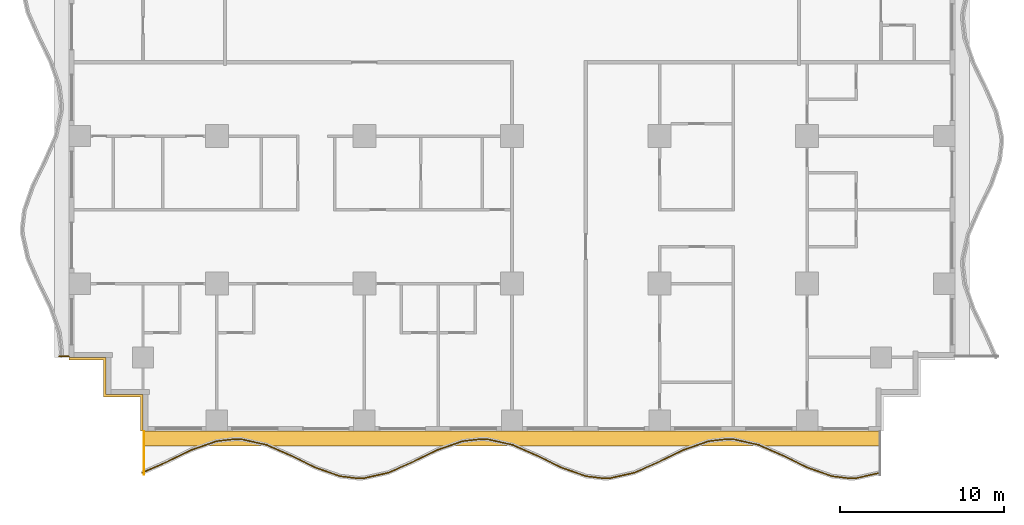
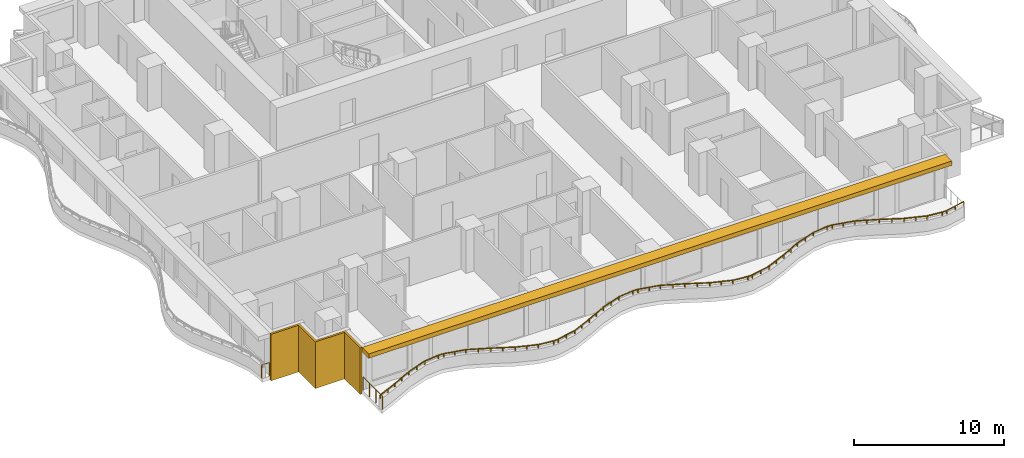
# One storey, part 8 of 14: 3 railings, 2 shading devices.
"""IFC4 building model written with IfcOpenShell, lengths in metres."""

from ifc_helpers import new_model, si_unit, direction, frame, origin, origin_2d, place, context, subcontext, project, spatial, polyline, rectangle, outline, extrude, material, layer, layer_set, type_object, element, save


model = new_model("IFC4")

# Units and contexts
model_context = context("Model", 3, precision=1e-05, world=origin(), true_north=direction((0.0, 1.0)))
body_context = subcontext(model_context, "Body", "Model", "MODEL_VIEW")
ifc_project = project(units=[si_unit("LENGTHUNIT", "METRE"), si_unit("AREAUNIT", "SQUARE_METRE"), si_unit("VOLUMEUNIT", "CUBIC_METRE"), si_unit("PLANEANGLEUNIT", "RADIAN"), si_unit("MASSUNIT", "GRAM", prefix="KILO")], contexts=[model_context])

# Site, building, storey
site_placement = place(None, origin())
site = spatial("IfcSite", under=ifc_project, at=site_placement, CompositionType="ELEMENT")
building_placement = place(site_placement, origin())
building = spatial("IfcBuilding", under=site, at=building_placement, Name="Orbiselva Terraces", CompositionType="ELEMENT")
storey_placement = place(building_placement, frame((0.0, 0.0, 88.4)))
storey = spatial("IfcBuildingStorey", under=building, at=storey_placement, Name="L22", CompositionType="ELEMENT", Elevation=88.4)

# Railings
ifc_material_1 = material(Name="Bonded two-ply safety glass balustrade, stainless steel posts", Category="steel")
railing_type_1 = type_object("IfcRailingType", Name="ENV-BALUSTRADE-1200", PredefinedType="BALUSTRADE", material=ifc_material_1)
railing_1_placement = place(storey_placement, frame((-22.550394, -25.034136, 0.9)))
element("IfcRailing", 1, at=railing_1_placement, inside=storey, type_object=railing_type_1, Name="Balcony balustrade L22 S", PredefinedType="BALUSTRADE", context=body_context, shape_type="SweptSolid", body=[
    extrude(outline(polyline([(0.028868, 0.0), (0.014434, 0.025), (-0.014434, 0.025), (-0.028868, 0.0), (-0.014434, -0.025), (0.014434, -0.025), (0.028868, 0.0)])), frame((0.0, 0.0, 0.275), z_axis=(0.915133498047, 0.403150940408, 0.0), x_axis=(-0.403150940408, 0.915133498047, 0.0)), (0.0, 0.0, 1.0), 1.636648),
    extrude(outline(polyline([(0.028868, 0.0), (0.014434, 0.025), (-0.014434, 0.025), (-0.028868, 0.0), (-0.014434, -0.025), (0.014434, -0.025), (0.028868, 0.0)])), frame((1.497751, 0.659816, 0.275), z_axis=(0.898578870221, 0.438812048596, 0.0), x_axis=(-0.438812048596, 0.898578870221, 0.0)), (0.0, 0.0, 1.0), 1.674225),
    extrude(outline(polyline([(0.028868, 0.0), (0.014434, 0.025), (-0.014434, 0.025), (-0.028868, 0.0), (-0.014434, -0.025), (0.014434, -0.025), (0.028868, 0.0)])), frame((3.002174, 1.394486, 0.275), z_axis=(0.943972332783, 0.330024597479, 0.0), x_axis=(-0.330024597479, 0.943972332783, 0.0)), (0.0, 0.0, 1.0), 1.610253),
    extrude(outline(polyline([(0.028868, 0.0), (0.014434, 0.025), (-0.014434, 0.025), (-0.028868, 0.0), (-0.014434, -0.025), (0.014434, -0.025), (0.028868, 0.0)])), frame((4.522208, 1.925909, 0.275), z_axis=(0.993309551734, 0.115482182324, 0.0), x_axis=(-0.115482182324, 0.993309551734, 0.0)), (0.0, 0.0, 1.0), 1.156135),
    extrude(outline(polyline([(0.028868, 0.0), (0.014434, 0.025), (-0.014434, 0.025), (-0.028868, 0.0), (-0.014434, -0.025), (0.014434, -0.025), (0.028868, 0.0)])), frame((5.670608, 2.059422, 0.275), z_axis=(0.999224734286, -0.03936915532, 0.0), x_axis=(0.03936915532, 0.999224734286, 0.0)), (0.0, 0.0, 1.0), 0.396376),
    extrude(outline(polyline([(0.028868, 0.0), (0.014434, 0.025), (-0.014434, 0.025), (-0.028868, 0.0), (-0.014434, -0.025), (0.014434, -0.025), (0.028868, 0.0)])), frame((6.066677, 2.043817, 0.275), z_axis=(0.97572137947, -0.219015500924, 0.0), x_axis=(0.219015500924, 0.97572137947, 0.0)), (0.0, 0.0, 1.0), 1.560867),
    extrude(outline(polyline([(0.028868, 0.0), (0.014434, 0.025), (-0.014434, 0.025), (-0.028868, 0.0), (-0.014434, -0.025), (0.014434, -0.025), (0.028868, 0.0)])), frame((7.589648, 1.701963, 0.275), z_axis=(0.915133527237, -0.403150874148, 0.0), x_axis=(0.403150874148, 0.915133527237, 0.0)), (0.0, 0.0, 1.0), 1.653736),
    extrude(outline(polyline([(0.028868, 0.0), (0.014434, 0.025), (-0.014434, 0.025), (-0.028868, 0.0), (-0.014434, -0.025), (0.014434, -0.025), (0.028868, 0.0)])), frame((9.103037, 1.035258, 0.275), z_axis=(0.89857890432, -0.438811978768, 0.0), x_axis=(0.438811978768, 0.89857890432, 0.0)), (0.0, 0.0, 1.0), 1.66438),
    extrude(outline(polyline([(0.028868, 0.0), (0.014434, 0.025), (-0.014434, 0.025), (-0.028868, 0.0), (-0.014434, -0.025), (0.014434, -0.025), (0.028868, 0.0)])), frame((10.598614, 0.304908, 0.275), z_axis=(0.943972277814, -0.330024754707, 0.0), x_axis=(0.330024754707, 0.943972277814, 0.0)), (0.0, 0.0, 1.0), 1.567807),
    extrude(outline(polyline([(0.028868, 0.0), (0.014434, 0.025), (-0.014434, 0.025), (-0.028868, 0.0), (-0.014434, -0.025), (0.014434, -0.025), (0.028868, 0.0)])), frame((12.07858, -0.212507, 0.275), z_axis=(0.993309658409, -0.115481264762, 0.0), x_axis=(0.115481264762, 0.993309658409, 0.0)), (0.0, 0.0, 1.0), 1.10902),
    extrude(outline(polyline([(0.028868, 0.0), (0.014434, 0.025), (-0.014434, 0.025), (-0.028868, 0.0), (-0.014434, -0.025), (0.014434, -0.025), (0.028868, 0.0)])), frame((13.18018, -0.340578, 0.275), z_axis=(0.999224931454, 0.039364150694, 0.0), x_axis=(-0.039364150694, 0.999224931454, 0.0)), (0.0, 0.0, 1.0), 0.354206),
    extrude(outline(polyline([(0.028868, 0.0), (0.014434, 0.025), (-0.014434, 0.025), (-0.028868, 0.0), (-0.014434, -0.025), (0.014434, -0.025), (0.028868, 0.0)])), frame((13.534111, -0.326635, 0.275), z_axis=(0.975721325753, 0.219015740235, 0.0), x_axis=(-0.219015740235, 0.975721325753, 0.0)), (0.0, 0.0, 1.0), 1.513782),
    extrude(outline(polyline([(0.028868, 0.0), (0.014434, 0.025), (-0.014434, 0.025), (-0.028868, 0.0), (-0.014434, -0.025), (0.014434, -0.025), (0.028868, 0.0)])), frame((15.01114, 0.004907, 0.275), z_axis=(0.915133363686, 0.403151245402, 0.0), x_axis=(-0.403151245402, 0.915133363686, 0.0)), (0.0, 0.0, 1.0), 1.624475),
    extrude(outline(polyline([(0.028868, 0.0), (0.014434, 0.025), (-0.014434, 0.025), (-0.028868, 0.0), (-0.014434, -0.025), (0.014434, -0.025), (0.028868, 0.0)])), frame((16.497751, 0.659816, 0.275), z_axis=(0.898578870221, 0.438812048596, 0.0), x_axis=(-0.438812048596, 0.898578870221, 0.0)), (0.0, 0.0, 1.0), 1.674225),
    extrude(outline(polyline([(0.028868, 0.0), (0.014434, 0.025), (-0.014434, 0.025), (-0.028868, 0.0), (-0.014434, -0.025), (0.014434, -0.025), (0.028868, 0.0)])), frame((18.002174, 1.394486, 0.275), z_axis=(0.943972332783, 0.330024597479, 0.0), x_axis=(-0.330024597479, 0.943972332783, 0.0)), (0.0, 0.0, 1.0), 1.610253),
    extrude(outline(polyline([(0.028868, 0.0), (0.014434, 0.025), (-0.014434, 0.025), (-0.028868, 0.0), (-0.014434, -0.025), (0.014434, -0.025), (0.028868, 0.0)])), frame((19.522208, 1.925909, 0.275), z_axis=(0.993309551734, 0.115482182324, 0.0), x_axis=(-0.115482182324, 0.993309551734, 0.0)), (0.0, 0.0, 1.0), 1.156135),
    extrude(outline(polyline([(0.028868, 0.0), (0.014434, 0.025), (-0.014434, 0.025), (-0.028868, 0.0), (-0.014434, -0.025), (0.014434, -0.025), (0.028868, 0.0)])), frame((20.670608, 2.059422, 0.275), z_axis=(0.999224734286, -0.03936915532, 0.0), x_axis=(0.03936915532, 0.999224734286, 0.0)), (0.0, 0.0, 1.0), 0.396376),
    extrude(outline(polyline([(0.028868, 0.0), (0.014434, 0.025), (-0.014434, 0.025), (-0.028868, 0.0), (-0.014434, -0.025), (0.014434, -0.025), (0.028868, 0.0)])), frame((21.066677, 2.043817, 0.275), z_axis=(0.97572137947, -0.219015500924, 0.0), x_axis=(0.219015500924, 0.97572137947, 0.0)), (0.0, 0.0, 1.0), 1.560867),
    extrude(outline(polyline([(0.028868, 0.0), (0.014434, 0.025), (-0.014434, 0.025), (-0.028868, 0.0), (-0.014434, -0.025), (0.014434, -0.025), (0.028868, 0.0)])), frame((22.589648, 1.701963, 0.275), z_axis=(0.915133527237, -0.403150874148, 0.0), x_axis=(0.403150874148, 0.915133527237, 0.0)), (0.0, 0.0, 1.0), 1.653736),
    extrude(outline(polyline([(0.028868, 0.0), (0.014434, 0.025), (-0.014434, 0.025), (-0.028868, 0.0), (-0.014434, -0.025), (0.014434, -0.025), (0.028868, 0.0)])), frame((24.103037, 1.035258, 0.275), z_axis=(0.89857890432, -0.438811978768, 0.0), x_axis=(0.438811978768, 0.89857890432, 0.0)), (0.0, 0.0, 1.0), 1.66438),
    extrude(outline(polyline([(0.028868, 0.0), (0.014434, 0.025), (-0.014434, 0.025), (-0.028868, 0.0), (-0.014434, -0.025), (0.014434, -0.025), (0.028868, 0.0)])), frame((25.598614, 0.304908, 0.275), z_axis=(0.943972277814, -0.330024754707, 0.0), x_axis=(0.330024754707, 0.943972277814, 0.0)), (0.0, 0.0, 1.0), 1.567807),
    extrude(outline(polyline([(0.028868, 0.0), (0.014434, 0.025), (-0.014434, 0.025), (-0.028868, 0.0), (-0.014434, -0.025), (0.014434, -0.025), (0.028868, 0.0)])), frame((27.07858, -0.212507, 0.275), z_axis=(0.993309658409, -0.115481264762, 0.0), x_axis=(0.115481264762, 0.993309658409, 0.0)), (0.0, 0.0, 1.0), 1.10902),
    extrude(outline(polyline([(0.028868, 0.0), (0.014434, 0.025), (-0.014434, 0.025), (-0.028868, 0.0), (-0.014434, -0.025), (0.014434, -0.025), (0.028868, 0.0)])), frame((28.18018, -0.340578, 0.275), z_axis=(0.999224931454, 0.039364150694, 0.0), x_axis=(-0.039364150694, 0.999224931454, 0.0)), (0.0, 0.0, 1.0), 0.354206),
    extrude(outline(polyline([(0.028868, 0.0), (0.014434, 0.025), (-0.014434, 0.025), (-0.028868, 0.0), (-0.014434, -0.025), (0.014434, -0.025), (0.028868, 0.0)])), frame((28.534111, -0.326635, 0.275), z_axis=(0.975721325753, 0.219015740235, 0.0), x_axis=(-0.219015740235, 0.975721325753, 0.0)), (0.0, 0.0, 1.0), 1.513782),
    extrude(outline(polyline([(0.028868, 0.0), (0.014434, 0.025), (-0.014434, 0.025), (-0.028868, 0.0), (-0.014434, -0.025), (0.014434, -0.025), (0.028868, 0.0)])), frame((30.01114, 0.004907, 0.275), z_axis=(0.915133363686, 0.403151245402, 0.0), x_axis=(-0.403151245402, 0.915133363686, 0.0)), (0.0, 0.0, 1.0), 1.624475),
    extrude(outline(polyline([(0.028868, 0.0), (0.014434, 0.025), (-0.014434, 0.025), (-0.028868, 0.0), (-0.014434, -0.025), (0.014434, -0.025), (0.028868, 0.0)])), frame((31.497751, 0.659816, 0.275), z_axis=(0.898578870221, 0.438812048596, 0.0), x_axis=(-0.438812048596, 0.898578870221, 0.0)), (0.0, 0.0, 1.0), 1.674225),
    extrude(outline(polyline([(0.028868, 0.0), (0.014434, 0.025), (-0.014434, 0.025), (-0.028868, 0.0), (-0.014434, -0.025), (0.014434, -0.025), (0.028868, 0.0)])), frame((33.002174, 1.394486, 0.275), z_axis=(0.943972332783, 0.330024597479, 0.0), x_axis=(-0.330024597479, 0.943972332783, 0.0)), (0.0, 0.0, 1.0), 1.610253),
    extrude(outline(polyline([(0.028868, 0.0), (0.014434, 0.025), (-0.014434, 0.025), (-0.028868, 0.0), (-0.014434, -0.025), (0.014434, -0.025), (0.028868, 0.0)])), frame((34.522208, 1.925909, 0.275), z_axis=(0.993309551734, 0.115482182324, 0.0), x_axis=(-0.115482182324, 0.993309551734, 0.0)), (0.0, 0.0, 1.0), 1.156135),
    extrude(outline(polyline([(0.028868, 0.0), (0.014434, 0.025), (-0.014434, 0.025), (-0.028868, 0.0), (-0.014434, -0.025), (0.014434, -0.025), (0.028868, 0.0)])), frame((35.670608, 2.059422, 0.275), z_axis=(0.999224734286, -0.03936915532, 0.0), x_axis=(0.03936915532, 0.999224734286, 0.0)), (0.0, 0.0, 1.0), 0.396376),
    extrude(outline(polyline([(0.028868, 0.0), (0.014434, 0.025), (-0.014434, 0.025), (-0.028868, 0.0), (-0.014434, -0.025), (0.014434, -0.025), (0.028868, 0.0)])), frame((36.066677, 2.043817, 0.275), z_axis=(0.97572137947, -0.219015500924, 0.0), x_axis=(0.219015500924, 0.97572137947, 0.0)), (0.0, 0.0, 1.0), 1.560867),
    extrude(outline(polyline([(0.028868, 0.0), (0.014434, 0.025), (-0.014434, 0.025), (-0.028868, 0.0), (-0.014434, -0.025), (0.014434, -0.025), (0.028868, 0.0)])), frame((37.589648, 1.701963, 0.275), z_axis=(0.915133527237, -0.403150874148, 0.0), x_axis=(0.403150874148, 0.915133527237, 0.0)), (0.0, 0.0, 1.0), 1.653736),
    extrude(outline(polyline([(0.028868, 0.0), (0.014434, 0.025), (-0.014434, 0.025), (-0.028868, 0.0), (-0.014434, -0.025), (0.014434, -0.025), (0.028868, 0.0)])), frame((39.103037, 1.035258, 0.275), z_axis=(0.89857890432, -0.438811978768, 0.0), x_axis=(0.438811978768, 0.89857890432, 0.0)), (0.0, 0.0, 1.0), 1.66438),
    extrude(outline(polyline([(0.028868, 0.0), (0.014434, 0.025), (-0.014434, 0.025), (-0.028868, 0.0), (-0.014434, -0.025), (0.014434, -0.025), (0.028868, 0.0)])), frame((40.598614, 0.304908, 0.275), z_axis=(0.943972277814, -0.330024754707, 0.0), x_axis=(0.330024754707, 0.943972277814, 0.0)), (0.0, 0.0, 1.0), 1.567807),
    extrude(outline(polyline([(0.028868, 0.0), (0.014434, 0.025), (-0.014434, 0.025), (-0.028868, 0.0), (-0.014434, -0.025), (0.014434, -0.025), (0.028868, 0.0)])), frame((42.07858, -0.212507, 0.275), z_axis=(0.993309658409, -0.115481264762, 0.0), x_axis=(0.115481264762, 0.993309658409, 0.0)), (0.0, 0.0, 1.0), 1.10902),
    extrude(outline(polyline([(0.028868, 0.0), (0.014434, 0.025), (-0.014434, 0.025), (-0.028868, 0.0), (-0.014434, -0.025), (0.014434, -0.025), (0.028868, 0.0)])), frame((43.18018, -0.340578, 0.275), z_axis=(0.999224931454, 0.039364150694, 0.0), x_axis=(-0.039364150694, 0.999224931454, 0.0)), (0.0, 0.0, 1.0), 0.354206),
    extrude(outline(polyline([(0.028868, 0.0), (0.014434, 0.025), (-0.014434, 0.025), (-0.028868, 0.0), (-0.014434, -0.025), (0.014434, -0.025), (0.028868, 0.0)])), frame((43.534111, -0.326635, 0.275), z_axis=(0.975721322437, 0.21901575501, 0.0), x_axis=(-0.21901575501, 0.975721322437, 0.0)), (0.0, 0.0, 1.0), 1.525954),
    extrude(rectangle(XDim=0.05, YDim=0.05, at=origin_2d()), origin(), (0.0, 0.0, 1.0), 0.25),
    extrude(rectangle(XDim=0.05, YDim=0.05, at=origin_2d()), frame((0.748876, 0.329908, 0.0)), (0.0, 0.0, 1.0), 0.25),
    extrude(rectangle(XDim=0.05, YDim=0.05, at=origin_2d()), frame((1.497751, 0.659816, 0.0)), (0.0, 0.0, 1.0), 0.25),
    extrude(rectangle(XDim=0.05, YDim=0.05, at=origin_2d()), frame((2.249963, 1.027151, 0.0)), (0.0, 0.0, 1.0), 0.25),
    extrude(rectangle(XDim=0.05, YDim=0.05, at=origin_2d()), frame((3.002174, 1.394486, 0.0)), (0.0, 0.0, 1.0), 0.25),
    extrude(rectangle(XDim=0.05, YDim=0.05, at=origin_2d()), frame((3.762191, 1.660198, 0.0)), (0.0, 0.0, 1.0), 0.25),
    extrude(rectangle(XDim=0.05, YDim=0.05, at=origin_2d()), frame((4.522208, 1.925909, 0.0)), (0.0, 0.0, 1.0), 0.25),
    extrude(rectangle(XDim=0.05, YDim=0.05, at=origin_2d()), frame((5.670608, 2.059422, 0.0)), (0.0, 0.0, 1.0), 0.25),
    extrude(rectangle(XDim=0.05, YDim=0.05, at=origin_2d()), frame((6.066677, 2.043817, 0.0)), (0.0, 0.0, 1.0), 0.25),
    extrude(rectangle(XDim=0.05, YDim=0.05, at=origin_2d()), frame((6.828163, 1.87289, 0.0)), (0.0, 0.0, 1.0), 0.25),
    extrude(rectangle(XDim=0.05, YDim=0.05, at=origin_2d()), frame((7.589648, 1.701963, 0.0)), (0.0, 0.0, 1.0), 0.25),
    extrude(rectangle(XDim=0.05, YDim=0.05, at=origin_2d()), frame((8.346342, 1.36861, 0.0)), (0.0, 0.0, 1.0), 0.25),
    extrude(rectangle(XDim=0.05, YDim=0.05, at=origin_2d()), frame((9.103037, 1.035258, 0.0)), (0.0, 0.0, 1.0), 0.25),
    extrude(rectangle(XDim=0.05, YDim=0.05, at=origin_2d()), frame((9.850826, 0.670083, 0.0)), (0.0, 0.0, 1.0), 0.25),
    extrude(rectangle(XDim=0.05, YDim=0.05, at=origin_2d()), frame((10.598614, 0.304908, 0.0)), (0.0, 0.0, 1.0), 0.25),
    extrude(rectangle(XDim=0.05, YDim=0.05, at=origin_2d()), frame((11.338597, 0.046201, 0.0)), (0.0, 0.0, 1.0), 0.25),
    extrude(rectangle(XDim=0.05, YDim=0.05, at=origin_2d()), frame((12.07858, -0.212507, 0.0)), (0.0, 0.0, 1.0), 0.25),
    extrude(rectangle(XDim=0.05, YDim=0.05, at=origin_2d()), frame((13.18018, -0.340578, 0.0)), (0.0, 0.0, 1.0), 0.25),
    extrude(rectangle(XDim=0.05, YDim=0.05, at=origin_2d()), frame((13.534111, -0.326635, 0.0)), (0.0, 0.0, 1.0), 0.25),
    extrude(rectangle(XDim=0.05, YDim=0.05, at=origin_2d()), frame((14.272626, -0.160864, 0.0)), (0.0, 0.0, 1.0), 0.25),
    extrude(rectangle(XDim=0.05, YDim=0.05, at=origin_2d()), frame((15.01114, 0.004907, 0.0)), (0.0, 0.0, 1.0), 0.25),
    extrude(rectangle(XDim=0.05, YDim=0.05, at=origin_2d()), frame((15.754446, 0.332361, 0.0)), (0.0, 0.0, 1.0), 0.25),
    extrude(rectangle(XDim=0.05, YDim=0.05, at=origin_2d()), frame((16.497751, 0.659816, 0.0)), (0.0, 0.0, 1.0), 0.25),
    extrude(rectangle(XDim=0.05, YDim=0.05, at=origin_2d()), frame((17.249963, 1.027151, 0.0)), (0.0, 0.0, 1.0), 0.25),
    extrude(rectangle(XDim=0.05, YDim=0.05, at=origin_2d()), frame((18.002174, 1.394486, 0.0)), (0.0, 0.0, 1.0), 0.25),
    extrude(rectangle(XDim=0.05, YDim=0.05, at=origin_2d()), frame((18.762191, 1.660198, 0.0)), (0.0, 0.0, 1.0), 0.25),
    extrude(rectangle(XDim=0.05, YDim=0.05, at=origin_2d()), frame((19.522208, 1.925909, 0.0)), (0.0, 0.0, 1.0), 0.25),
    extrude(rectangle(XDim=0.05, YDim=0.05, at=origin_2d()), frame((20.670608, 2.059422, 0.0)), (0.0, 0.0, 1.0), 0.25),
    extrude(rectangle(XDim=0.05, YDim=0.05, at=origin_2d()), frame((21.066677, 2.043817, 0.0)), (0.0, 0.0, 1.0), 0.25),
    extrude(rectangle(XDim=0.05, YDim=0.05, at=origin_2d()), frame((21.828162, 1.87289, 0.0)), (0.0, 0.0, 1.0), 0.25),
    extrude(rectangle(XDim=0.05, YDim=0.05, at=origin_2d()), frame((22.589648, 1.701963, 0.0)), (0.0, 0.0, 1.0), 0.25),
    extrude(rectangle(XDim=0.05, YDim=0.05, at=origin_2d()), frame((23.346342, 1.36861, 0.0)), (0.0, 0.0, 1.0), 0.25),
    extrude(rectangle(XDim=0.05, YDim=0.05, at=origin_2d()), frame((24.103037, 1.035258, 0.0)), (0.0, 0.0, 1.0), 0.25),
    extrude(rectangle(XDim=0.05, YDim=0.05, at=origin_2d()), frame((24.850826, 0.670083, 0.0)), (0.0, 0.0, 1.0), 0.25),
    extrude(rectangle(XDim=0.05, YDim=0.05, at=origin_2d()), frame((25.598614, 0.304908, 0.0)), (0.0, 0.0, 1.0), 0.25),
    extrude(rectangle(XDim=0.05, YDim=0.05, at=origin_2d()), frame((26.338597, 0.046201, 0.0)), (0.0, 0.0, 1.0), 0.25),
    extrude(rectangle(XDim=0.05, YDim=0.05, at=origin_2d()), frame((27.07858, -0.212507, 0.0)), (0.0, 0.0, 1.0), 0.25),
    extrude(rectangle(XDim=0.05, YDim=0.05, at=origin_2d()), frame((28.18018, -0.340578, 0.0)), (0.0, 0.0, 1.0), 0.25),
    extrude(rectangle(XDim=0.05, YDim=0.05, at=origin_2d()), frame((28.534111, -0.326635, 0.0)), (0.0, 0.0, 1.0), 0.25),
    extrude(rectangle(XDim=0.05, YDim=0.05, at=origin_2d()), frame((29.272626, -0.160864, 0.0)), (0.0, 0.0, 1.0), 0.25),
    extrude(rectangle(XDim=0.05, YDim=0.05, at=origin_2d()), frame((30.01114, 0.004907, 0.0)), (0.0, 0.0, 1.0), 0.25),
    extrude(rectangle(XDim=0.05, YDim=0.05, at=origin_2d()), frame((30.754446, 0.332361, 0.0)), (0.0, 0.0, 1.0), 0.25),
    extrude(rectangle(XDim=0.05, YDim=0.05, at=origin_2d()), frame((31.497751, 0.659816, 0.0)), (0.0, 0.0, 1.0), 0.25),
    extrude(rectangle(XDim=0.05, YDim=0.05, at=origin_2d()), frame((32.249962, 1.027151, 0.0)), (0.0, 0.0, 1.0), 0.25),
    extrude(rectangle(XDim=0.05, YDim=0.05, at=origin_2d()), frame((33.002174, 1.394486, 0.0)), (0.0, 0.0, 1.0), 0.25),
    extrude(rectangle(XDim=0.05, YDim=0.05, at=origin_2d()), frame((33.762191, 1.660198, 0.0)), (0.0, 0.0, 1.0), 0.25),
    extrude(rectangle(XDim=0.05, YDim=0.05, at=origin_2d()), frame((34.522208, 1.925909, 0.0)), (0.0, 0.0, 1.0), 0.25),
    extrude(rectangle(XDim=0.05, YDim=0.05, at=origin_2d()), frame((35.670608, 2.059422, 0.0)), (0.0, 0.0, 1.0), 0.25),
    extrude(rectangle(XDim=0.05, YDim=0.05, at=origin_2d()), frame((36.066677, 2.043817, 0.0)), (0.0, 0.0, 1.0), 0.25),
    extrude(rectangle(XDim=0.05, YDim=0.05, at=origin_2d()), frame((36.828162, 1.87289, 0.0)), (0.0, 0.0, 1.0), 0.25),
    extrude(rectangle(XDim=0.05, YDim=0.05, at=origin_2d()), frame((37.589648, 1.701963, 0.0)), (0.0, 0.0, 1.0), 0.25),
    extrude(rectangle(XDim=0.05, YDim=0.05, at=origin_2d()), frame((38.346342, 1.36861, 0.0)), (0.0, 0.0, 1.0), 0.25),
    extrude(rectangle(XDim=0.05, YDim=0.05, at=origin_2d()), frame((39.103037, 1.035258, 0.0)), (0.0, 0.0, 1.0), 0.25),
    extrude(rectangle(XDim=0.05, YDim=0.05, at=origin_2d()), frame((39.850826, 0.670083, 0.0)), (0.0, 0.0, 1.0), 0.25),
    extrude(rectangle(XDim=0.05, YDim=0.05, at=origin_2d()), frame((40.598614, 0.304908, 0.0)), (0.0, 0.0, 1.0), 0.25),
    extrude(rectangle(XDim=0.05, YDim=0.05, at=origin_2d()), frame((41.338597, 0.046201, 0.0)), (0.0, 0.0, 1.0), 0.25),
    extrude(rectangle(XDim=0.05, YDim=0.05, at=origin_2d()), frame((42.07858, -0.212507, 0.0)), (0.0, 0.0, 1.0), 0.25),
    extrude(rectangle(XDim=0.05, YDim=0.05, at=origin_2d()), frame((43.18018, -0.340578, 0.0)), (0.0, 0.0, 1.0), 0.25),
    extrude(rectangle(XDim=0.05, YDim=0.05, at=origin_2d()), frame((43.534111, -0.326635, 0.0)), (0.0, 0.0, 1.0), 0.25),
    extrude(rectangle(XDim=0.05, YDim=0.05, at=origin_2d()), frame((44.278564, -0.159531, 0.0)), (0.0, 0.0, 1.0), 0.25),
    extrude(rectangle(XDim=0.05, YDim=0.05, at=origin_2d()), frame((45.023017, 0.007573, 0.0)), (0.0, 0.0, 1.0), 0.25),
])
ifc_material_2 = material(Name="Stainless steel rail and posts", Category="steel")
railing_type_2 = type_object("IfcRailingType", Name="ENV-GUARD-1105", PredefinedType="BALUSTRADE", material=ifc_material_2)
railing_2_placement = place(storey_placement, frame((-22.44, -25.126937, 0.0)))
element("IfcRailing", 2, at=railing_2_placement, inside=storey, type_object=railing_type_2, Name="Balcony end guard L22 S", PredefinedType="BALUSTRADE", context=body_context, shape_type="SweptSolid", body=[
    extrude(outline(polyline([(0.028868, 0.0), (0.014434, 0.025), (-0.014434, 0.025), (-0.028868, 0.0), (-0.014434, -0.025), (0.014434, -0.025), (0.028868, 0.0)])), frame((0.0, 0.0, 1.08), z_axis=(0.0, 1.0, 0.0), x_axis=(-1.0, 0.0, 0.0)), (0.0, 0.0, 1.0), 2.601937),
    extrude(rectangle(XDim=0.05, YDim=0.05, at=origin_2d()), origin(), (0.0, 0.0, 1.0), 1.055),
    extrude(rectangle(XDim=0.05, YDim=0.05, at=origin_2d()), frame((0.0, 0.867312, 0.0)), (0.0, 0.0, 1.0), 1.055),
    extrude(rectangle(XDim=0.05, YDim=0.05, at=origin_2d()), frame((0.0, 1.734625, 0.0)), (0.0, 0.0, 1.0), 1.055),
    extrude(rectangle(XDim=0.05, YDim=0.05, at=origin_2d()), frame((0.0, 2.601937, 0.0)), (0.0, 0.0, 1.0), 1.055),
])
railing_3_placement = place(storey_placement, frame((-27.610431, -17.94, 0.0)))
element("IfcRailing", 3, at=railing_3_placement, inside=storey, type_object=railing_type_2, Name="Balcony end guard L22 W", PredefinedType="BALUSTRADE", context=body_context, shape_type="SweptSolid", body=[
    extrude(outline(polyline([(0.028868, 0.0), (0.014434, 0.025), (-0.014434, 0.025), (-0.028868, 0.0), (-0.014434, -0.025), (0.014434, -0.025), (0.028868, 0.0)])), frame((0.0, 0.0, 1.08), z_axis=(1.0, 0.0, 0.0), x_axis=(0.0, 1.0, 0.0)), (0.0, 0.0, 1.0), 0.585431),
    extrude(rectangle(XDim=0.05, YDim=0.05, at=origin_2d()), origin(), (0.0, 0.0, 1.0), 1.055),
    extrude(rectangle(XDim=0.05, YDim=0.05, at=origin_2d()), frame((0.585431, 0.0, 0.0)), (0.0, 0.0, 1.0), 1.055),
])

# Shading devices
ifc_material_3 = material(Name="Terracotta louvre screen", Category="masonry")
ifc_layer_1 = layer(ifc_material_3, 0.15)
ifc_layer_set_1 = layer_set([ifc_layer_1], Name="Terracotta louvre screen")
shading_device_type_1 = type_object("IfcShadingDeviceType", Name="ENV-SCREEN-150", PredefinedType="USERDEFINED", material=ifc_layer_set_1)
shading_device_1_placement = place(storey_placement, frame((0.0, 0.0, -0.3)))
element("IfcShadingDevice", 4, at=shading_device_1_placement, inside=storey, type_object=shading_device_type_1, Name="Louvre screen L22 SW", ObjectType="SCREEN", PredefinedType="USERDEFINED", context=body_context, shape_type="SweptSolid", body=[
    extrude(outline(polyline([(-27.0, -18.15), (-24.9, -18.15), (-24.9, -20.4), (-22.65, -20.4), (-22.65, -22.5), (-22.5, -22.5), (-22.5, -20.25), (-24.75, -20.25), (-24.75, -18.0), (-27.0, -18.0), (-27.0, -18.15)])), origin(), (0.0, 0.0, 1.0), 3.8),
])
ifc_material_4 = material(Name="Terracotta baguette sunshade", Category="masonry")
ifc_layer_2 = layer(ifc_material_4, 0.35)
ifc_layer_set_2 = layer_set([ifc_layer_2], Name="Terracotta baguette sunshade")
shading_device_type_2 = type_object("IfcShadingDeviceType", Name="ENV-SUNSHADE-900x350", PredefinedType="USERDEFINED", material=ifc_layer_set_2)
shading_device_2_placement = place(storey_placement, frame((0.0, 0.0, 3.15)))
element("IfcShadingDevice", 5, at=shading_device_2_placement, inside=storey, type_object=shading_device_type_2, Name="Sunshade band L22 S", ObjectType="SUNSHADE", PredefinedType="USERDEFINED", context=body_context, shape_type="SweptSolid", body=[
    extrude(outline(polyline([(-22.5, -23.4), (22.5, -23.4), (22.5, -22.5), (-22.5, -22.5), (-22.5, -23.4)])), origin(), (0.0, 0.0, 1.0), 0.35),
])

save(model, "model.ifc")
